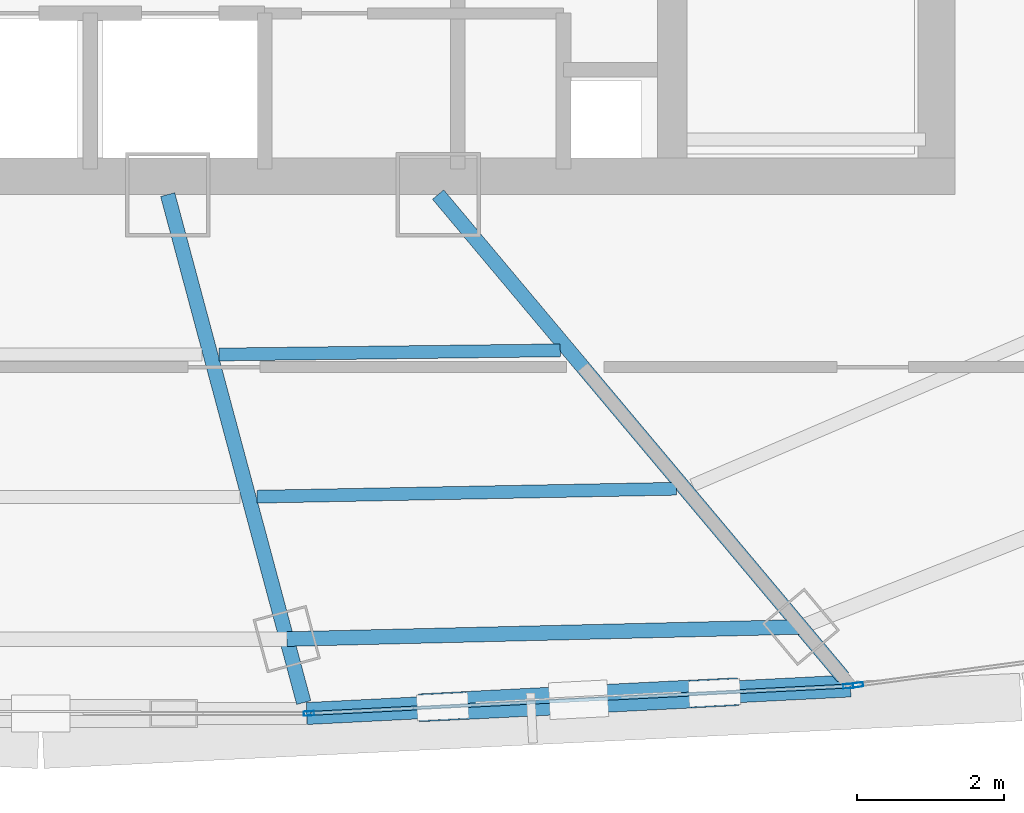
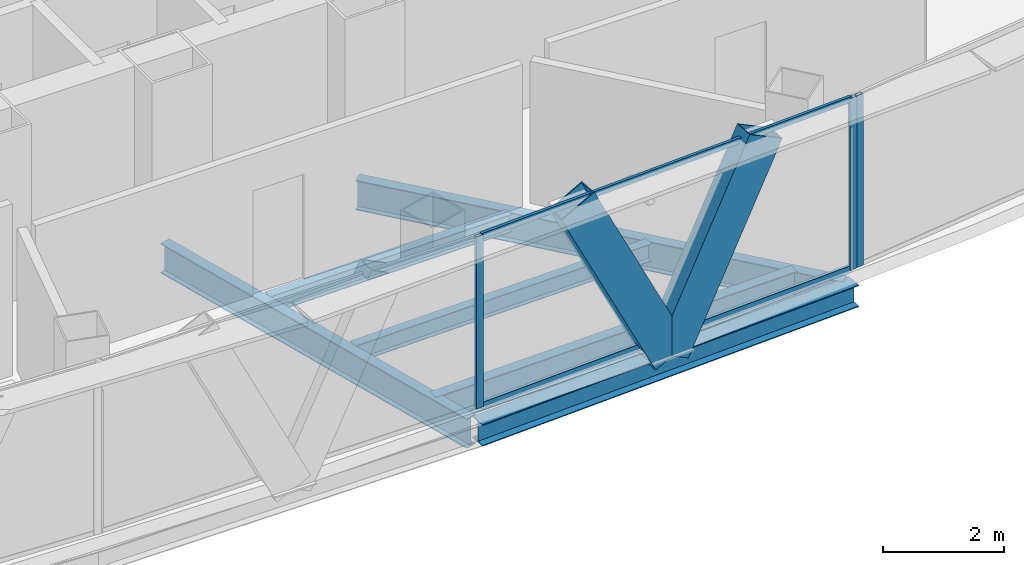
# One storey, part 12 of 33: 7 members, 6 beams, 2 elements without a shape of their own.
"""IFC4 building model written with IfcOpenShell, lengths in metres."""

import ifcopenshell
import ifcopenshell.guid

model = None  # the IFC model being written
_history = None  # IfcOwnerHistory: only IFC2X3 demands one
_inside = {}  # id of a spatial element -> (the spatial element, [elements in it])
_under = {}  # id of a project, library or spatial element -> (it, [spatial elements below it])
_declared = {}  # id of a project -> (the project, [libraries it declares])
_typed = {}  # id of a type object -> (the type object, [elements of that type])
_made_of = {}  # id of a material, layer set ... -> (it, [elements and type objects made of it])


def new_model(schema):
    """Start an empty IFC model of exactly this schema.

    Asked for "IFC4X3", IfcOpenShell would pick the latest addendum, in which some entities
    have other attributes; the version numbers below select the first issue.
    IFC2X3 requires an IfcOwnerHistory on every rooted entity: one is made here for all.
    """
    global model, _history
    if schema == "IFC4X3":
        model = ifcopenshell.file(schema_version=(4, 3, 0, 0))
    else:
        model = ifcopenshell.file(schema=schema)
    _inside.clear()
    _under.clear()
    _declared.clear()
    _typed.clear()
    _made_of.clear()
    _history = None
    if model.schema == "IFC2X3":
        org = make("IfcOrganization", Name="unknown")
        user = make(
            "IfcPersonAndOrganization",
            ThePerson=make("IfcPerson", FamilyName="unknown"),
            TheOrganization=org,
        )
        app = make(
            "IfcApplication",
            ApplicationDeveloper=org,
            Version="unknown",
            ApplicationFullName="unknown",
            ApplicationIdentifier="unknown",
        )
        _history = make(
            "IfcOwnerHistory",
            OwningUser=user,
            OwningApplication=app,
            ChangeAction="ADDED",
            CreationDate=0,
        )
    return model


def make(cls, **values):
    """One entity of the class cls with the attributes given. An attribute that is None is left unset."""
    return model.create_entity(
        cls, **{name: value for name, value in values.items() if value is not None}
    )


def rooted(cls, **values):
    """An entity with a GlobalId (a new one), such as an element, a storey or a relation."""
    return make(cls, GlobalId=ifcopenshell.guid.new(), OwnerHistory=_history, **values)


def si_unit(unit_type, name, prefix=None):
    """IfcSIUnit, for example si_unit("LENGTHUNIT", "METRE", prefix="MILLI")."""
    return make("IfcSIUnit", UnitType=unit_type, Prefix=prefix, Name=name)


def assignment(units):
    """IfcUnitAssignment: the units of a project."""
    return None if units is None else make("IfcUnitAssignment", Units=units)


def point(xyz):
    """IfcCartesianPoint."""
    return None if xyz is None else make("IfcCartesianPoint", Coordinates=xyz)


def direction(xyz):
    """IfcDirection."""
    return None if xyz is None else make("IfcDirection", DirectionRatios=xyz)


def frame(location, z_axis=None, x_axis=None):
    """IfcAxis2Placement3D, a coordinate frame: its origin and axes. An axis left out is left unset."""
    return make(
        "IfcAxis2Placement3D",
        Location=point(location),
        Axis=direction(z_axis),
        RefDirection=direction(x_axis),
    )


def frame_2d(location, x_axis=None):
    """IfcAxis2Placement2D, a coordinate frame in the plane: its origin and x axis."""
    return make(
        "IfcAxis2Placement2D", Location=point(location), RefDirection=direction(x_axis)
    )


def origin():
    """The frame at (0, 0, 0) with its axes left unset."""
    return frame((0.0, 0.0, 0.0))


def origin_2d():
    """The frame at (0, 0) in the plane with its x axis left unset."""
    return frame_2d((0.0, 0.0))


def place(relative_to, where):
    """IfcLocalPlacement: puts the frame where relative to a parent placement (None: the world)."""
    return make(
        "IfcLocalPlacement", PlacementRelTo=relative_to, RelativePlacement=where
    )


def context(
    kind, dimensions, precision=None, world=None, true_north=None, identifier=None
):
    """IfcGeometricRepresentationContext, for example the 3D "Model" context."""
    return make(
        "IfcGeometricRepresentationContext",
        ContextIdentifier=identifier,
        ContextType=kind,
        CoordinateSpaceDimension=dimensions,
        Precision=precision,
        WorldCoordinateSystem=world,
        TrueNorth=true_north,
    )


def subcontext(parent, identifier, kind, view, scale=None):
    """IfcGeometricRepresentationSubContext, for example "Body" below "Model"."""
    return make(
        "IfcGeometricRepresentationSubContext",
        ContextIdentifier=identifier,
        ContextType=kind,
        ParentContext=parent,
        TargetScale=scale,
        TargetView=view,
    )


def project(units=None, contexts=None):
    """IfcProject with its units and contexts."""
    return rooted(
        "IfcProject",
        Name="project",
        RepresentationContexts=contexts,
        UnitsInContext=assignment(units),
    )


def spatial(cls, under=None, at=None, **own):
    """A site, building, storey or space (cls), placed at a placement, below another one or the project."""
    s = rooted(cls, ObjectPlacement=at, **own)
    if under is not None:
        _under.setdefault(under.id(), (under, []))[1].append(s)
    return s


def profile(cls, at=None, kind="AREA", **sizes):
    """A parametric profile (cls). Its sizes go by their IFC names, for example OverallWidth=200.0."""
    return make(cls, ProfileType=kind, Position=at, **sizes)


def hollow_rectangle(**sizes):
    """IfcRectangleHollowProfileDef."""
    return profile("IfcRectangleHollowProfileDef", **sizes)


def i_section(**sizes):
    """IfcIShapeProfileDef."""
    return profile("IfcIShapeProfileDef", **sizes)


def extrude(swept, where, along, depth):
    """IfcExtrudedAreaSolid: the profile swept, set in the frame where, extruded along a direction by depth."""
    return make(
        "IfcExtrudedAreaSolid",
        SweptArea=swept,
        Position=where,
        ExtrudedDirection=direction(along),
        Depth=depth,
    )


def shape(context_of_items, identifier, shape_type, items):
    """IfcShapeRepresentation: the items that make up one representation, for example the "Body"."""
    return make(
        "IfcShapeRepresentation",
        ContextOfItems=context_of_items,
        RepresentationIdentifier=identifier,
        RepresentationType=shape_type,
        Items=items,
    )


def source(mapping_origin, context_of_items, identifier, shape_type, items):
    """IfcRepresentationMap: a shape defined once, which mapped items show again and again."""
    return make(
        "IfcRepresentationMap",
        MappingOrigin=mapping_origin,
        MappedRepresentation=shape(context_of_items, identifier, shape_type, items),
    )


def transform(
    local_origin,
    x_axis=None,
    y_axis=None,
    z_axis=None,
    scale=None,
    scale2=None,
    scale3=None,
    uniform=True,
):
    """IfcCartesianTransformationOperator3D, or its non-uniform kind. x_axis, y_axis, z_axis: its Axis1, 2, 3."""
    if uniform:
        return make(
            "IfcCartesianTransformationOperator3D",
            Axis1=direction(x_axis),
            Axis2=direction(y_axis),
            LocalOrigin=point(local_origin),
            Scale=scale,
            Axis3=direction(z_axis),
        )
    return make(
        "IfcCartesianTransformationOperator3DnonUniform",
        Axis1=direction(x_axis),
        Axis2=direction(y_axis),
        LocalOrigin=point(local_origin),
        Scale=scale,
        Axis3=direction(z_axis),
        Scale2=scale2,
        Scale3=scale3,
    )


def mapped(mapping_source, mapping_target):
    """IfcMappedItem: shows the shape of a source again, moved by a transform."""
    return make(
        "IfcMappedItem", MappingSource=mapping_source, MappingTarget=mapping_target
    )


def material(Name=None, Category=None):
    """IfcMaterial."""
    return make("IfcMaterial", Name=Name, Category=Category)


def layer(
    of_material, thickness, ventilated=None, Name=None, Category=None, Priority=None
):
    """IfcMaterialLayer: one layer of a wall or slab, of a material (None: an air gap)."""
    return make(
        "IfcMaterialLayer",
        Material=of_material,
        LayerThickness=thickness,
        IsVentilated=ventilated,
        Name=Name,
        Category=Category,
        Priority=Priority,
    )


def layer_set(layers, Name=None):
    """IfcMaterialLayerSet."""
    return make("IfcMaterialLayerSet", MaterialLayers=layers, LayerSetName=Name)


def material_profile(
    of_material, cross_section, Name=None, Category=None, Priority=None
):
    """IfcMaterialProfile: a cross section and its material."""
    return make(
        "IfcMaterialProfile",
        Name=Name,
        Material=of_material,
        Profile=cross_section,
        Priority=Priority,
        Category=Category,
    )


def profile_set(profiles, Name=None, composite=None):
    """IfcMaterialProfileSet."""
    return make(
        "IfcMaterialProfileSet",
        Name=Name,
        MaterialProfiles=profiles,
        CompositeProfile=composite,
    )


def made_of(thing, what):
    """Note that an element or type object is made of a material, layer set ...; save() writes the relation."""
    if what is not None:
        _made_of.setdefault(what.id(), (what, []))[1].append(thing)
    return thing


def type_object(cls, material=None, **own):
    """A type object (cls), such as IfcWallType, which elements share."""
    return made_of(rooted(cls, **own), material)


def element(
    cls,
    number,
    at=None,
    inside=None,
    cuts=None,
    type_object=None,
    material=None,
    context=None,
    identifier="Body",
    shape_type=None,
    held_by="IfcProductDefinitionShape",
    body=None,
    shapes=None,
    **own,
):
    """One element of the class cls, such as IfcWall. Its Tag is "e" and its number.

    at: its placement. inside: the storey or other place that contains it. cuts: it is an
    opening in that element (IfcRelVoidsElement). A single representation is given by context,
    identifier, shape_type and body (its items); several are given by shapes. held_by: the class
    of the entity that holds the representations. save() writes the other relations.
    """
    e = rooted(cls, Tag="e%d" % number, ObjectPlacement=at, **own)
    if body is not None:
        shapes = [shape(context, identifier, shape_type, body)]
    if shapes is not None:
        e.Representation = make(held_by, Representations=shapes)
    if inside is not None:
        _inside.setdefault(inside.id(), (inside, []))[1].append(e)
    if cuts is not None:
        rooted(
            "IfcRelVoidsElement", RelatingBuildingElement=cuts, RelatedOpeningElement=e
        )
    if type_object is not None:
        _typed.setdefault(type_object.id(), (type_object, []))[1].append(e)
    return made_of(e, material)


def aggregate(whole, parts):
    """IfcRelAggregates: a whole, such as a stair, and the parts it consists of."""
    return rooted("IfcRelAggregates", RelatingObject=whole, RelatedObjects=parts)


def save(model, path):
    """Write the relations noted so far, then the file.

    IfcRelAggregates (storeys below a building ...), IfcRelContainedInSpatialStructure (elements
    in a storey), IfcRelDefinesByType, IfcRelAssociatesMaterial and IfcRelDeclares: one each for
    every whole, place, type object, material and project.
    """
    for whole, parts in _under.values():
        aggregate(whole, parts)
    for where, things in _inside.values():
        rooted(
            "IfcRelContainedInSpatialStructure",
            RelatedElements=things,
            RelatingStructure=where,
        )
    for kind, things in _typed.values():
        rooted("IfcRelDefinesByType", RelatedObjects=things, RelatingType=kind)
    for what, things in _made_of.values():
        rooted("IfcRelAssociatesMaterial", RelatedObjects=things, RelatingMaterial=what)
    for by, libraries in _declared.values():
        rooted("IfcRelDeclares", RelatingContext=by, RelatedDefinitions=libraries)
    model.write(path)


model = new_model("IFC4")

# Units and contexts
model_context = context("Model", 3, precision=1e-05, world=origin(), true_north=direction((0.0, 1.0)))
body_context = subcontext(model_context, "Body", "Model", "MODEL_VIEW")
ifc_project = project(units=[si_unit("LENGTHUNIT", "METRE"), si_unit("AREAUNIT", "SQUARE_METRE"), si_unit("VOLUMEUNIT", "CUBIC_METRE"), si_unit("PLANEANGLEUNIT", "RADIAN"), si_unit("MASSUNIT", "GRAM", prefix="KILO"), si_unit("THERMODYNAMICTEMPERATUREUNIT", "KELVIN"), si_unit("POWERUNIT", "WATT")], contexts=[model_context])

# Site, building, storey
site_placement = place(None, origin())
site = spatial("IfcSite", under=ifc_project, at=site_placement, CompositionType="ELEMENT")
building_placement = place(site_placement, origin())
building = spatial("IfcBuilding", under=site, at=building_placement, Name="Yunzhuo Pagoda Commons", CompositionType="ELEMENT")
storey_placement = place(building_placement, frame((0.0, 0.0, 311.1298828125)))
storey = spatial("IfcBuildingStorey", under=building, at=storey_placement, Name="L78", CompositionType="ELEMENT", Elevation=311.1298828125)

# Beams
ifc_material_1 = material(Name="Structural steel Q355B", Category="steel")
ifc_material_profile_1 = material_profile(ifc_material_1, i_section(OverallWidth=0.175048828125, OverallDepth=0.35009765625, WebThickness=0.007080078125, FlangeThickness=0.010986328125, at=origin_2d()), Name="Structural steel Q355B")
ifc_profile_set_1 = profile_set([ifc_material_profile_1], Name="Structural steel Q355B")
beam_type_1 = type_object("IfcBeamType", Name="B-JS2 Joist HN 350x175x7x11", PredefinedType="JOIST", material=ifc_profile_set_1)
shared_shape_1 = source(origin(), body_context, "Body", "SweptSolid", [
    extrude(i_section(OverallWidth=0.175048828125, OverallDepth=0.35009765625, WebThickness=0.007080078125, FlangeThickness=0.010986328125, at=origin_2d()), origin(), (0.0, 0.0, 1.0), 4.64892578125),
])
beam_1_placement = place(storey_placement, frame((50.42724609375, 25.07177734375, -0.434814453125), z_axis=(0.999924495467, 0.012288342626, 0.0), x_axis=(-0.012288342626, 0.999924495467, 0.0)))
element("IfcBeam", 1, at=beam_1_placement, inside=storey, type_object=beam_type_1, Name="L78 composite ring joist 1.3", PredefinedType="JOIST", context=body_context, shape_type="MappedRepresentation", body=[
    mapped(shared_shape_1, transform((0.0, 0.0, 0.0), scale=1.0)),
])
shared_shape_2 = source(origin(), body_context, "Body", "SweptSolid", [
    extrude(i_section(OverallWidth=0.175048828125, OverallDepth=0.35009765625, WebThickness=0.007080078125, FlangeThickness=0.010986328125, at=origin_2d()), origin(), (0.0, 0.0, 1.0), 5.711669921875),
])
beam_2_placement = place(storey_placement, frame((50.9462890625, 23.135009765625, -0.434814453125), z_axis=(0.999819084998, 0.019020969297, 0.0), x_axis=(-0.019020969297, 0.999819084998, 0.0)))
element("IfcBeam", 2, at=beam_2_placement, inside=storey, type_object=beam_type_1, Name="L78 composite ring joist 2.3", PredefinedType="JOIST", context=body_context, shape_type="MappedRepresentation", body=[
    mapped(shared_shape_2, transform((0.0, 0.0, 0.0), scale=1.0)),
])
ifc_material_profile_2 = material_profile(ifc_material_1, i_section(OverallWidth=0.199951171875, OverallDepth=0.60009765625, WebThickness=0.010986328125, FlangeThickness=0.01708984375, at=origin_2d()), Name="Structural steel Q355B")
ifc_profile_set_2 = profile_set([ifc_material_profile_2], Name="Structural steel Q355B")
beam_type_2 = type_object("IfcBeamType", Name="B-RG3 Beam HN 600x200x11x17", PredefinedType="BEAM", material=ifc_profile_set_2)
shared_shape_3 = source(origin(), body_context, "Body", "SweptSolid", [
    extrude(i_section(OverallWidth=0.199951171875, OverallDepth=0.60009765625, WebThickness=0.010986328125, FlangeThickness=0.01708984375, at=origin_2d()), origin(), (0.0, 0.0, 1.0), 7.0048828125),
])
beam_3_placement = place(storey_placement, frame((51.3505859375, 21.195556640625, -0.559814453125), z_axis=(0.99971911704, 0.023699937233, 0.0), x_axis=(-0.023699937233, 0.99971911704, 0.0)))
element("IfcBeam", 3, at=beam_3_placement, inside=storey, type_object=beam_type_2, Name="L78 column-ring beam 3", PredefinedType="BEAM", context=body_context, shape_type="MappedRepresentation", body=[
    mapped(shared_shape_3, transform((0.0, 0.0, 0.0), scale=1.0)),
])
shared_shape_4 = source(origin(), body_context, "Body", "SweptSolid", [
    extrude(i_section(OverallWidth=0.199951171875, OverallDepth=0.60009765625, WebThickness=0.010986328125, FlangeThickness=0.01708984375, at=origin_2d()), origin(), (0.0, 0.0, 1.0), 7.1630859375),
])
beam_4_placement = place(storey_placement, frame((51.582275390625, 20.3310546875, -0.559814453125), z_axis=(-0.258797417081, 0.96593162124, 0.0), x_axis=(-0.96593162124, -0.258797417081, 0.0)))
element("IfcBeam", 4, at=beam_4_placement, inside=storey, type_object=beam_type_2, Name="L78 radial floor girder F1C3", PredefinedType="BEAM", context=body_context, shape_type="MappedRepresentation", body=[
    mapped(shared_shape_4, transform((0.0, 0.0, 0.0), scale=1.0)),
])
shared_shape_5 = source(origin(), body_context, "Body", "SweptSolid", [
    extrude(i_section(OverallWidth=0.199951171875, OverallDepth=0.60009765625, WebThickness=0.010986328125, FlangeThickness=0.01708984375, at=origin_2d()), origin(), (0.0, 0.0, 1.0), 8.581787109375),
])
beam_5_placement = place(storey_placement, frame((58.928466796875, 20.676025390625, -0.559814453125), z_axis=(-0.642797029111, 0.766036539185, 0.0), x_axis=(-0.766036539185, -0.642797029111, 0.0)))
element("IfcBeam", 5, at=beam_5_placement, inside=storey, type_object=beam_type_2, Name="L78 radial floor girder F1C4", PredefinedType="BEAM", context=body_context, shape_type="MappedRepresentation", body=[
    mapped(shared_shape_5, transform((0.0, 0.0, 0.0), scale=1.0)),
])
ifc_material_profile_3 = material_profile(ifc_material_1, i_section(OverallWidth=0.300048828125, OverallDepth=0.43994140625, WebThickness=0.010986328125, FlangeThickness=0.01806640625, at=origin_2d()), Name="Structural steel Q355B")
ifc_profile_set_3 = profile_set([ifc_material_profile_3], Name="Structural steel Q355B")
beam_type_3 = type_object("IfcBeamType", Name="B-SP2 Beam HM 440x300x11x18", PredefinedType="BEAM", material=ifc_profile_set_3)
shared_shape_6 = source(origin(), body_context, "Body", "SweptSolid", [
    extrude(i_section(OverallWidth=0.300048828125, OverallDepth=0.43994140625, WebThickness=0.010986328125, FlangeThickness=0.01806640625, at=origin_2d()), origin(), (0.0, 0.0, 1.0), 7.4150390625),
])
beam_6_placement = place(storey_placement, frame((51.62255859375, 20.181640625, -0.47998046875), z_axis=(0.998717032838, 0.050638802509, 0.0), x_axis=(-0.050638802509, 0.998717032838, 0.0)))
element("IfcBeam", 6, at=beam_6_placement, inside=storey, type_object=beam_type_3, Name="L78 facade edge spandrel beam F1.3", PredefinedType="BEAM", context=body_context, shape_type="MappedRepresentation", body=[
    mapped(shared_shape_6, transform((0.0, 0.0, 0.0), scale=1.0)),
])

# Members
ifc_material_profile_4 = material_profile(ifc_material_1, hollow_rectangle(XDim=0.3798828125, YDim=0.719970703125, WallThickness=0.02001953125, at=origin_2d()), Name="Structural steel Q355B")
ifc_profile_set_4 = profile_set([ifc_material_profile_4], Name="Structural steel Q355B")
member_type_1 = type_object("IfcMemberType", Name="M-DL3 Brace BOX 720x380x20", PredefinedType="BRACE", material=ifc_profile_set_4)
shared_shape_7 = source(origin(), body_context, "Body", "SweptSolid", [
    extrude(hollow_rectangle(XDim=0.3798828125, YDim=0.719970703125, WallThickness=0.02001953125, at=origin_2d()), origin(), (0.0, 0.0, 1.0), 4.165283203125),
])
for number, where, z_axis, x_axis, name in (
    (7, (55.3251953125, 20.369384765625, -0.259765625), (-0.444471863794, -0.022566486557, 0.895508523678), (0.050706150872, -0.99871361574, 0.0), "L78 facade diamond brace F1.3L"),
    (8, (55.3251953125, 20.369384765625, -0.259765625), (0.444519483835, 0.022507315637, 0.895486375795), (-0.050568132333, 0.998720613581, 0.0), "L78 facade diamond brace F1.3R"),
):
    element("IfcMember", number, at=place(storey_placement, frame(where, z_axis=z_axis, x_axis=x_axis)), inside=storey, type_object=member_type_1, Name=name, PredefinedType="BRACE", context=body_context, shape_type="MappedRepresentation", body=[
        mapped(shared_shape_7, transform((0.0, 0.0, 0.0), scale=1.0)),
    ])

# Curtain wall, members
ifc_material_2 = material(Name="Anodized aluminium 6063-T6", Category="aluminium")
ifc_layer = layer(ifc_material_2, 0.139892578125)
ifc_layer_set = layer_set([ifc_layer], Name="Anodized aluminium 6063-T6")
curtain_wall_type = type_object("IfcCurtainWallType", Name="CW-HI High-Zone Ribbon Curtain Wall", PredefinedType="NOTDEFINED", material=ifc_layer_set)
curtain_wall_1_placement = place(storey_placement, origin())
curtain_wall_1 = element("IfcCurtainWall", 9, at=curtain_wall_1_placement, inside=storey, type_object=curtain_wall_type, Name="L78 curtain wall CW-L78-F1B4", PredefinedType="NOTDEFINED")
ifc_material_profile_5 = material_profile(ifc_material_2, hollow_rectangle(XDim=0.06005859375, YDim=0.139892578125, WallThickness=0.00341796875, at=origin_2d()), Name="Anodized aluminium 6063-T6")
ifc_profile_set_5 = profile_set([ifc_material_profile_5], Name="Anodized aluminium 6063-T6")
member_type_2 = type_object("IfcMemberType", Name="CW-HI-M Mullion RHS 140x60x3.5", PredefinedType="MULLION", material=ifc_profile_set_5)
shared_shape_8 = source(origin(), body_context, "Body", "SweptSolid", [
    extrude(hollow_rectangle(XDim=0.06005859375, YDim=0.139892578125, WallThickness=0.00341796875, at=origin_2d()), origin(), (0.0, 0.0, 1.0), 3.47021484375),
])
member_1_placement = place(storey_placement, frame((51.65234375, 20.182861328125, 0.0), z_axis=(0.0, 0.0, 1.0), x_axis=(-0.050692256518, 0.998714321079, 0.0)))
member_1 = element("IfcMember", 10, at=member_1_placement, type_object=member_type_2, Name="CW mullion 1", PredefinedType="MULLION", context=body_context, shape_type="MappedRepresentation", body=[
    mapped(shared_shape_8, transform((0.0, 0.0, 0.0), scale=1.0)),
])
member_2_placement = place(storey_placement, frame((58.998046875, 20.5556640625, 0.0), z_axis=(0.0, 0.0, 1.0), x_axis=(-0.050692256518, 0.998714321079, 0.0)))
member_2 = element("IfcMember", 11, at=member_2_placement, type_object=member_type_2, Name="CW mullion 2", PredefinedType="MULLION", context=body_context, shape_type="MappedRepresentation", body=[
    mapped(shared_shape_8, transform((0.0, 0.0, 0.0), scale=1.0)),
])

# Curtain wall, member
curtain_wall_2_placement = place(storey_placement, origin())
curtain_wall_2 = element("IfcCurtainWall", 12, at=curtain_wall_2_placement, inside=storey, type_object=curtain_wall_type, Name="L78 curtain wall CW-L78-F1B5", PredefinedType="NOTDEFINED")
member_3_placement = place(storey_placement, frame((59.132080078125, 20.5712890625, 0.0), z_axis=(0.0, 0.0, 1.0), x_axis=(-0.133518525759, 0.991046317424, 0.0)))
member_3 = element("IfcMember", 13, at=member_3_placement, type_object=member_type_2, Name="CW mullion 1", PredefinedType="MULLION", context=body_context, shape_type="MappedRepresentation", body=[
    mapped(shared_shape_8, transform((0.0, 0.0, 0.0), scale=1.0)),
])
aggregate(curtain_wall_2, [member_3])

# Member
ifc_material_profile_6 = material_profile(ifc_material_2, hollow_rectangle(XDim=0.054931640625, YDim=0.1201171875, WallThickness=0.00341796875, at=origin_2d()), Name="Anodized aluminium 6063-T6")
ifc_profile_set_6 = profile_set([ifc_material_profile_6], Name="Anodized aluminium 6063-T6")
member_type_3 = type_object("IfcMemberType", Name="CW-HI-T Transom RHS 120x55x3.5", PredefinedType="USERDEFINED", material=ifc_profile_set_6)
shared_shape_9 = source(origin(), body_context, "Body", "SweptSolid", [
    extrude(hollow_rectangle(XDim=0.054931640625, YDim=0.1201171875, WallThickness=0.00341796875, at=origin_2d()), origin(), (0.0, 0.0, 1.0), 7.29541015625),
])
member_4_placement = place(storey_placement, frame((51.68212890625, 20.184326171875, 0.027587890625), z_axis=(0.998713994516, 0.050698689911, 0.0), x_axis=(-0.050698689911, 0.998713994516, 0.0)))
member_4 = element("IfcMember", 14, at=member_4_placement, type_object=member_type_3, Name="CW transom 1.1", ObjectType="TRANSOM", PredefinedType="USERDEFINED", context=body_context, shape_type="MappedRepresentation", body=[
    mapped(shared_shape_9, transform((0.0, 0.0, 0.0), scale=1.0)),
])

member_5_placement = place(storey_placement, frame((51.68212890625, 20.184326171875, 3.442626953125), z_axis=(0.998713994516, 0.050698689911, 0.0), x_axis=(-0.050698689911, 0.998713994516, 0.0)))
member_5 = element("IfcMember", 15, at=member_5_placement, type_object=member_type_3, Name="CW transom 1.2", ObjectType="TRANSOM", PredefinedType="USERDEFINED", context=body_context, shape_type="MappedRepresentation", body=[
    mapped(shared_shape_9, transform((0.0, 0.0, 0.0), scale=1.0)),
])

aggregate(curtain_wall_1, [member_1, member_2, member_4, member_5])

save(model, "model.ifc")
